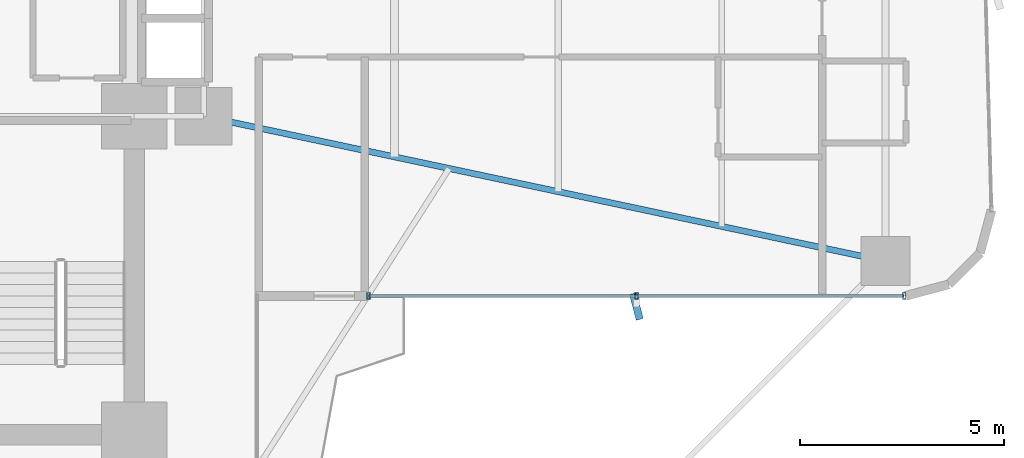
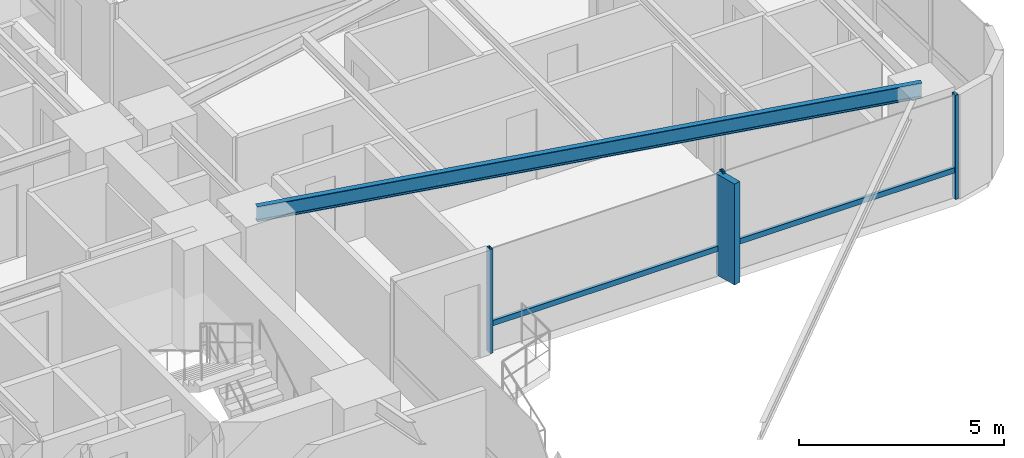
# One storey, part 14 of 25: 6 members, 1 beam, 1 element without a shape of its own.
"""IFC4 building model written with IfcOpenShell, lengths in metres."""

from ifc_helpers import new_model, si_unit, direction, frame, origin, origin_2d, place, context, subcontext, project, spatial, rectangle, hollow_rectangle, i_section, extrude, source, transform, mapped, material, material_profile, profile_set, type_object, element, aggregate, save


model = new_model("IFC4")

# Units and contexts
model_context = context("Model", 3, precision=1e-05, world=origin(), true_north=direction((0.0, 1.0)))
body_context = subcontext(model_context, "Body", "Model", "MODEL_VIEW")
ifc_project = project(units=[si_unit("LENGTHUNIT", "METRE"), si_unit("AREAUNIT", "SQUARE_METRE"), si_unit("VOLUMEUNIT", "CUBIC_METRE"), si_unit("PLANEANGLEUNIT", "RADIAN"), si_unit("MASSUNIT", "GRAM", prefix="KILO")], contexts=[model_context])

# Site, building, storey
site_placement = place(None, origin())
site = spatial("IfcSite", under=ifc_project, at=site_placement, CompositionType="ELEMENT")
building_placement = place(site_placement, origin())
building = spatial("IfcBuilding", under=site, at=building_placement, Name="Sahyath Konkavel Grand Hotel", CompositionType="ELEMENT")
storey_placement = place(building_placement, frame((0.0, 0.0, 57.75)))
storey = spatial("IfcBuildingStorey", under=building, at=storey_placement, Name="L15", CompositionType="ELEMENT", Elevation=57.75)

# Beam
ifc_material_1 = material(Name="Steel E350", Category="steel")
ifc_material_profile_1 = material_profile(ifc_material_1, i_section(OverallWidth=0.14990234375, OverallDepth=0.449951171875, WebThickness=0.009521484375, FlangeThickness=0.017333984375, FilletRadius=0.014892578125, at=origin_2d()), Name="ISMB 450")
ifc_profile_set_1 = profile_set([ifc_material_profile_1], Name="Steel E350")
beam_type = type_object("IfcBeamType", Name="BM-ISMB450", PredefinedType="BEAM", material=ifc_profile_set_1)
shared_shape_1 = source(origin(), body_context, "Body", "SweptSolid", [
    extrude(i_section(OverallWidth=0.14990234375, OverallDepth=0.449951171875, WebThickness=0.009521484375, FlangeThickness=0.017333984375, FilletRadius=0.014892578125, at=origin_2d()), origin(), (0.0, 0.0, 1.0), 17.072998046875),
])
beam_placement = place(storey_placement, frame((5.5, -2.39990234375, 2.885009765625), z_axis=(0.978143257225, -0.20793212437, 0.0), x_axis=(0.20793212437, 0.978143257225, 0.0)))
element("IfcBeam", 1, at=beam_placement, inside=storey, type_object=beam_type, Name="L15 Cruciform Radial Girder EA", PredefinedType="BEAM", context=body_context, shape_type="MappedRepresentation", body=[
    mapped(shared_shape_1, transform((0.0, 0.0, 0.0), scale=1.0)),
])

# Curtain wall, members
ifc_material_2 = material(Name="Anodised Bronze Aluminium & Low-E Glazing", Category="aluminium")
curtain_wall_type = type_object("IfcCurtainWallType", Name="CW-ZONE1", PredefinedType="NOTDEFINED", material=ifc_material_2)
curtain_wall_placement = place(storey_placement, origin())
curtain_wall = element("IfcCurtainWall", 2, at=curtain_wall_placement, inside=storey, type_object=curtain_wall_type, Name="L15 Unitised Curtain Wall F0", PredefinedType="NOTDEFINED")
ifc_material_3 = material(Name="Warm Buff Sandstone Cladding on Concrete C50/60", Category="masonry")
ifc_material_profile_2 = material_profile(ifc_material_3, rectangle(XDim=0.179931640625, YDim=0.64990234375, at=origin_2d()), Name="FIN 180x650")
ifc_profile_set_2 = profile_set([ifc_material_profile_2], Name="Warm Buff Sandstone Cladding on Concrete C50/60")
member_type_1 = type_object("IfcMemberType", Name="FIN-SANDSTONE-650", PredefinedType="MULLION", material=ifc_profile_set_2)
shared_shape_2 = source(origin(), body_context, "Body", "SweptSolid", [
    extrude(rectangle(XDim=0.179931640625, YDim=0.64990234375, at=origin_2d()), origin(), (0.0, 0.0, 1.0), 3.010009765625),
])
member_1_placement = place(storey_placement, frame((16.10009765625, -7.06005859375, 0.050048828125), z_axis=(0.0, 0.0, 1.0), x_axis=(0.967884912253, 0.251393708421, 0.0)))
member_1 = element("IfcMember", 3, at=member_1_placement, type_object=member_type_1, Name="L15 Sandstone Vertical Solar Fin FIN F0-1", PredefinedType="MULLION", context=body_context, shape_type="MappedRepresentation", body=[
    mapped(shared_shape_2, transform((0.0, 0.0, 0.0), scale=1.0)),
])
ifc_material_4 = material(Name="Anodised Bronze Aluminium", Category="aluminium")
ifc_material_profile_3 = material_profile(ifc_material_4, hollow_rectangle(XDim=0.080078125, YDim=0.159912109375, WallThickness=0.006103515625, at=origin_2d()), Name="RHS 160x80x6")
ifc_profile_set_3 = profile_set([ifc_material_profile_3], Name="Anodised Bronze Aluminium")
member_type_2 = type_object("IfcMemberType", Name="CW-MUL-160", PredefinedType="MULLION", material=ifc_profile_set_3)
shared_shape_3 = source(origin(), body_context, "Body", "SweptSolid", [
    extrude(hollow_rectangle(XDim=0.080078125, YDim=0.159912109375, WallThickness=0.006103515625, at=origin_2d()), origin(), (0.0, 0.0, 1.0), 3.110107421875),
])
member_2_placement = place(storey_placement, frame((9.5400390625, -6.800048828125, 0.0), z_axis=(0.0, 0.0, 1.0), x_axis=(1.0, 0.0, 0.0)))
member_2 = element("IfcMember", 4, at=member_2_placement, type_object=member_type_2, Name="L15 Curtain Wall Mullion F0-0", PredefinedType="MULLION", context=body_context, shape_type="MappedRepresentation", body=[
    mapped(shared_shape_3, transform((0.0, 0.0, 0.0), scale=1.0)),
])
member_3_placement = place(storey_placement, frame((16.10009765625, -6.800048828125, 0.0), z_axis=(0.0, 0.0, 1.0), x_axis=(1.0, 0.0, 0.0)))
member_3 = element("IfcMember", 5, at=member_3_placement, type_object=member_type_2, Name="L15 Curtain Wall Mullion F0-1", PredefinedType="MULLION", context=body_context, shape_type="MappedRepresentation", body=[
    mapped(shared_shape_3, transform((0.0, 0.0, 0.0), scale=1.0)),
])
member_4_placement = place(storey_placement, frame((22.659912109375, -6.800048828125, 0.0), z_axis=(0.0, 0.0, 1.0), x_axis=(1.0, 0.0, 0.0)))
member_4 = element("IfcMember", 6, at=member_4_placement, type_object=member_type_2, Name="L15 Curtain Wall Mullion F0-2", PredefinedType="MULLION", context=body_context, shape_type="MappedRepresentation", body=[
    mapped(shared_shape_3, transform((0.0, 0.0, 0.0), scale=1.0)),
])
ifc_material_profile_4 = material_profile(ifc_material_4, hollow_rectangle(XDim=0.080078125, YDim=0.159912109375, WallThickness=0.006103515625, at=origin_2d()), Name="RHS 160x80x6")
ifc_profile_set_4 = profile_set([ifc_material_profile_4], Name="Anodised Bronze Aluminium")
member_type_3 = type_object("IfcMemberType", Name="CW-TRN-160", PredefinedType="USERDEFINED", material=ifc_profile_set_4)
shared_shape_4 = source(origin(), body_context, "Body", "SweptSolid", [
    extrude(hollow_rectangle(XDim=0.080078125, YDim=0.159912109375, WallThickness=0.006103515625, at=origin_2d()), origin(), (0.0, 0.0, 1.0), 6.56005859375),
])
member_5_placement = place(storey_placement, frame((9.5400390625, -6.800048828125, 0.85009765625), z_axis=(1.0, 0.0, 0.0), x_axis=(0.0, 1.0, 0.0)))
member_5 = element("IfcMember", 7, at=member_5_placement, type_object=member_type_3, Name="L15 Curtain Wall Transom F0-0-spandrel", ObjectType="TRANSOM", PredefinedType="USERDEFINED", context=body_context, shape_type="MappedRepresentation", body=[
    mapped(shared_shape_4, transform((0.0, 0.0, 0.0), scale=1.0)),
])
shared_shape_5 = source(origin(), body_context, "Body", "SweptSolid", [
    extrude(hollow_rectangle(XDim=0.080078125, YDim=0.159912109375, WallThickness=0.006103515625, at=origin_2d()), origin(), (0.0, 0.0, 1.0), 6.559814453125),
])
member_6_placement = place(storey_placement, frame((16.10009765625, -6.800048828125, 0.85009765625), z_axis=(1.0, 0.0, 0.0), x_axis=(0.0, 1.0, 0.0)))
member_6 = element("IfcMember", 8, at=member_6_placement, type_object=member_type_3, Name="L15 Curtain Wall Transom F0-1-spandrel", ObjectType="TRANSOM", PredefinedType="USERDEFINED", context=body_context, shape_type="MappedRepresentation", body=[
    mapped(shared_shape_5, transform((0.0, 0.0, 0.0), scale=1.0)),
])
aggregate(curtain_wall, [member_2, member_3, member_1, member_4, member_5, member_6])

save(model, "model.ifc")
